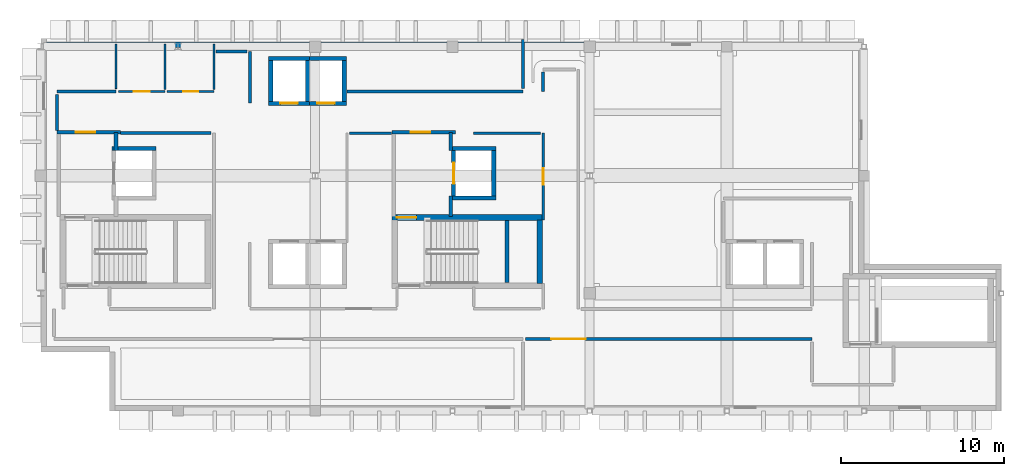
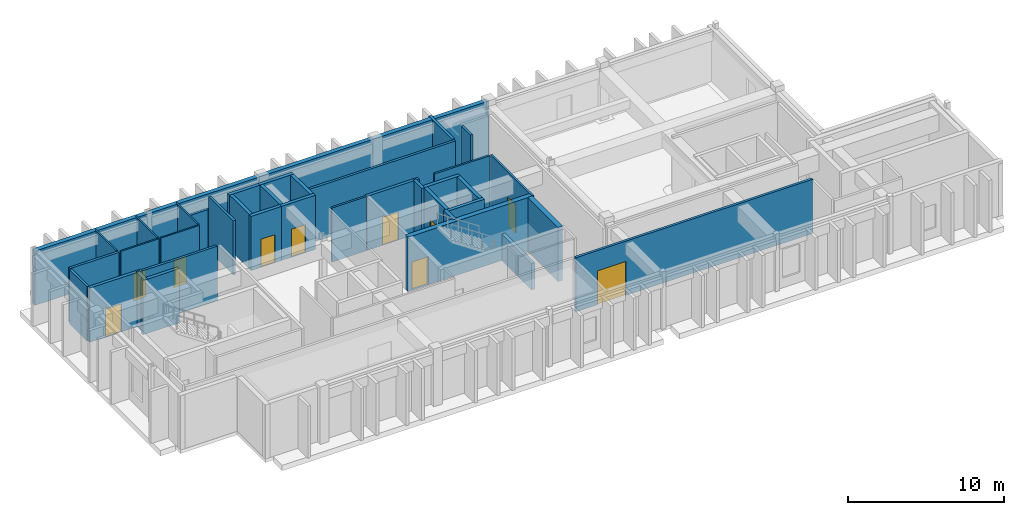
# One storey, part 5 of 8: 38 walls, 10 doors, 10 openings.
"""IFC4 building model written with IfcOpenShell, lengths in metres."""

from ifc_helpers import new_model, si_unit, direction, frame, frame_2d, origin, place, context, subcontext, project, spatial, rectangle, extrude, material, layer, layer_set, type_object, element, fill, save


model = new_model("IFC4")

# Units and contexts
model_context = context("Model", 3, precision=1e-05, world=origin(), true_north=direction((0.0, 1.0)))
body_context = subcontext(model_context, "Body", "Model", "MODEL_VIEW")
ifc_project = project(units=[si_unit("LENGTHUNIT", "METRE"), si_unit("AREAUNIT", "SQUARE_METRE"), si_unit("VOLUMEUNIT", "CUBIC_METRE"), si_unit("PLANEANGLEUNIT", "RADIAN"), si_unit("MASSUNIT", "GRAM", prefix="KILO")], contexts=[model_context])

# Site, building, storey
site_placement = place(None, origin())
site = spatial("IfcSite", under=ifc_project, at=site_placement, CompositionType="ELEMENT")
building_placement = place(site_placement, origin())
building = spatial("IfcBuilding", under=site, at=building_placement, Name="Quendrovan Civic Courthouse", CompositionType="ELEMENT")
storey_placement = place(building_placement, frame((0.0, 0.0, 35.699951171875)))
storey = spatial("IfcBuildingStorey", under=building, at=storey_placement, Name="L08", CompositionType="ELEMENT", Elevation=35.699951171875)

# Wall, opening, door
ifc_material_1 = material(Name="Acoustic gypsum stud partition")
ifc_layer_1 = layer(ifc_material_1, 0.139892578125, Name="Acoustic gypsum stud partition")
ifc_layer_set_1 = layer_set([ifc_layer_1], Name="Acoustic gypsum stud partition")
wall_type_1 = type_object("IfcWallType", Name="WL-CHM-140", PredefinedType="PARTITIONING", material=ifc_layer_set_1)
wall_1_placement = place(storey_placement, frame((64.35009765625, 104.60009765625, 0.0), z_axis=(0.0, 0.0, 1.0), x_axis=(0.0, -1.0, 0.0)))
wall_1 = element("IfcWall", 1, at=wall_1_placement, inside=storey, type_object=wall_type_1, Name="L08 Appellate Judges' Chambers Partition 0868", PredefinedType="PARTITIONING", context=body_context, shape_type="SweptSolid", body=[
    extrude(rectangle(XDim=5.300048828125, YDim=0.139892578125, at=frame_2d((2.64990234375, 0.0))), origin(), (0.0, 0.0, 1.0), 4.239990234375),
])
opening_1_placement = place(wall_1_placement, frame((2.14990234375, 0.0, 0.0)))
opening_1 = element("IfcOpeningElement", 2, at=opening_1_placement, cuts=wall_1, Name="Opening D-L08-125", PredefinedType="OPENING", context=body_context, shape_type="SweptSolid", body=[
    extrude(rectangle(XDim=1.0, YDim=2.219970703125, at=frame_2d((0.5, 1.10986328125))), frame((0.0, 0.080078125, 0.0), z_axis=(0.0, -1.0, 0.0), x_axis=(1.0, 0.0, 0.0)), (0.0, 0.0, 1.0), 0.159912109375),
])
ifc_material_2 = material(Name="Solid Western Red Cedar timber door", Category="wood")
door_type_1 = type_object("IfcDoorType", Name="DR-CHM-1000", OperationType="NOTDEFINED", PredefinedType="DOOR", material=ifc_material_2)
door_1_placement = place(opening_1_placement, origin())
door_1 = element("IfcDoor", 3, at=door_1_placement, inside=storey, type_object=door_type_1, Name="L08 Appellate Judges' Chambers Door D-L08-125", OperationType="SINGLE_SWING_RIGHT", OverallHeight=2.219970703125, OverallWidth=1.0, PredefinedType="DOOR", context=body_context, shape_type="SweptSolid", body=[
    extrude(rectangle(XDim=1.0, YDim=2.219970703125, at=frame_2d((0.5, 1.10986328125))), frame((0.0, 0.02490234375, 0.0), z_axis=(0.0, -1.0, 0.0), x_axis=(1.0, 0.0, 0.0)), (0.0, 0.0, 1.0), 0.050048828125),
])
fill(opening_1, door_1)

# Walls
wall_2_placement = place(storey_placement, frame((60.10009765625, 104.60009765625, 0.0), z_axis=(0.0, 0.0, 1.0), x_axis=(1.0, 0.0, 0.0)))
element("IfcWall", 4, at=wall_2_placement, inside=storey, type_object=wall_type_1, Name="L08 Appellate Judges' Chambers Partition 0878", PredefinedType="PARTITIONING", context=body_context, shape_type="SweptSolid", body=[
    extrude(rectangle(XDim=4.099853515625, YDim=0.139892578125, at=frame_2d((2.0498046875, 0.0))), origin(), (0.0, 0.0, 1.0), 4.239990234375),
])
wall_3_placement = place(storey_placement, frame((52.5, 104.60009765625, 0.0), z_axis=(0.0, 0.0, 1.0), x_axis=(1.0, 0.0, 0.0)))
element("IfcWall", 5, at=wall_3_placement, inside=storey, type_object=wall_type_1, Name="L08 Judicial Conference Room Partition 0891", PredefinedType="PARTITIONING", context=body_context, shape_type="SweptSolid", body=[
    extrude(rectangle(XDim=2.580078125, YDim=0.139892578125, at=frame_2d((1.2900390625, 0.0))), origin(), (0.0, 0.0, 1.0), 4.239990234375),
])

# Wall, opening, door
ifc_material_3 = material(Name="Concrete C45/55", Category="concrete")
ifc_layer_2 = layer(ifc_material_3, 0.35009765625, Name="Concrete C45/55")
ifc_layer_set_2 = layer_set([ifc_layer_2], Name="Concrete C45/55")
wall_type_2 = type_object("IfcWallType", Name="WL-CORE-350", PredefinedType="SHEAR", material=ifc_layer_set_2)
wall_4_placement = place(storey_placement, frame((64.31005859375, 99.43505859375, 0.0), z_axis=(0.0, 0.0, 1.0), x_axis=(-1.0, 0.0, 0.0)))
wall_4 = element("IfcWall", 6, at=wall_4_placement, inside=storey, type_object=wall_type_2, Name="L08 Core Shear Wall ST2-N", PredefinedType="SHEAR", context=body_context, shape_type="SweptSolid", body=[
    extrude(rectangle(XDim=9.219970703125, YDim=0.35009765625, at=frame_2d((4.60986328125, 0.0))), origin(), (0.0, 0.0, 1.0), 4.239990234375),
])
opening_2_placement = place(wall_4_placement, frame((7.719970703125, 0.0, 0.0)))
opening_2 = element("IfcOpeningElement", 7, at=opening_2_placement, cuts=wall_4, Name="Opening DFF-ST2-L08", PredefinedType="OPENING", context=body_context, shape_type="SweptSolid", body=[
    extrude(rectangle(XDim=1.199951171875, YDim=2.199951171875, at=frame_2d((0.60009765625, 1.10009765625))), frame((0.0, 0.18505859375, 0.0), z_axis=(0.0, -1.0, 0.0), x_axis=(1.0, 0.0, 0.0)), (0.0, 0.0, 1.0), 0.3701171875),
])
ifc_material_4 = material(Name="Painted galvanized hollow-metal steel", Category="steel")
door_type_2 = type_object("IfcDoorType", Name="DR-FFLOB-1200", OperationType="NOTDEFINED", PredefinedType="DOOR", material=ifc_material_4)
door_2_placement = place(opening_2_placement, origin())
door_2 = element("IfcDoor", 8, at=door_2_placement, inside=storey, type_object=door_type_2, Name="L08 Firefighting Lobby FL2 Direct Stair ST2 Door", OperationType="SINGLE_SWING_RIGHT", OverallHeight=2.199951171875, OverallWidth=1.199951171875, PredefinedType="DOOR", context=body_context, shape_type="SweptSolid", body=[
    extrude(rectangle(XDim=1.199951171875, YDim=2.199951171875, at=frame_2d((0.60009765625, 1.10009765625))), frame((0.0, 0.02490234375, 0.0), z_axis=(0.0, -1.0, 0.0), x_axis=(1.0, 0.0, 0.0)), (0.0, 0.0, 1.0), 0.050048828125),
])
fill(opening_2, door_2)

# Wall
wall_5_placement = place(storey_placement, frame((64.135009765625, 99.300048828125, 0.0), z_axis=(0.0, 0.0, 1.0), x_axis=(0.0, -1.0, 0.0)))
element("IfcWall", 9, at=wall_5_placement, inside=storey, type_object=wall_type_2, Name="L08 Core Shear Wall ST2-E", PredefinedType="SHEAR", context=body_context, shape_type="SweptSolid", body=[
    extrude(rectangle(XDim=3.900146484375, YDim=0.35009765625, at=frame_2d((1.9501953125, 0.0))), origin(), (0.0, 0.0, 1.0), 4.239990234375),
])

# Wall, opening, door
ifc_material_5 = material(Name="Acoustic gypsum and mineral wool partition")
ifc_layer_3 = layer(ifc_material_5, 0.179931640625, Name="Acoustic gypsum and mineral wool partition")
ifc_layer_set_3 = layer_set([ifc_layer_3], Name="Acoustic gypsum and mineral wool partition")
wall_type_3 = type_object("IfcWallType", Name="WL-CRT-AC180", PredefinedType="PARTITIONING", material=ifc_layer_set_3)
wall_6_placement = place(storey_placement, frame((63.280029296875, 92.0, 0.0), z_axis=(0.0, 0.0, 1.0), x_axis=(1.0, 0.0, 0.0)))
wall_6 = element("IfcWall", 10, at=wall_6_placement, inside=storey, type_object=wall_type_3, Name="L08 Appellate Courtroom Partition 0863", PredefinedType="PARTITIONING", context=body_context, shape_type="SweptSolid", body=[
    extrude(rectangle(XDim=17.52001953125, YDim=0.179931640625, at=frame_2d((8.760009765625, 0.0))), origin(), (0.0, 0.0, 1.0), 4.239990234375),
])
opening_3_placement = place(wall_6_placement, frame((1.577880859375, 0.0, 0.0)))
opening_3 = element("IfcOpeningElement", 11, at=opening_3_placement, cuts=wall_6, Name="Opening D-L08-123", PredefinedType="OPENING", context=body_context, shape_type="SweptSolid", body=[
    extrude(rectangle(XDim=2.10009765625, YDim=2.64990234375, at=frame_2d((1.050048828125, 1.324951171875))), frame((0.0, 0.10009765625, 0.0), z_axis=(0.0, -1.0, 0.0), x_axis=(1.0, 0.0, 0.0)), (0.0, 0.0, 1.0), 0.199951171875),
])
ifc_material_6 = material(Name="Acoustic solid Western Red Cedar timber door", Category="wood")
door_type_3 = type_object("IfcDoorType", Name="DR-CRT-DBL2100", OperationType="NOTDEFINED", PredefinedType="DOOR", material=ifc_material_6)
door_3_placement = place(opening_3_placement, origin())
door_3 = element("IfcDoor", 12, at=door_3_placement, inside=storey, type_object=door_type_3, Name="L08 Appellate Courtroom Door D-L08-123", OperationType="SINGLE_SWING_RIGHT", OverallHeight=2.64990234375, OverallWidth=2.10009765625, PredefinedType="DOOR", context=body_context, shape_type="SweptSolid", body=[
    extrude(rectangle(XDim=2.10009765625, YDim=2.64990234375, at=frame_2d((1.050048828125, 1.324951171875))), frame((0.0, 0.02490234375, 0.0), z_axis=(0.0, -1.0, 0.0), x_axis=(1.0, 0.0, 0.0)), (0.0, 0.0, 1.0), 0.050048828125),
])
fill(opening_3, door_3)

# Walls
wall_7_placement = place(storey_placement, frame((63.110107421875, 107.14990234375, 0.0), z_axis=(0.0, 0.0, 1.0), x_axis=(-1.0, 0.0, 0.0)))
element("IfcWall", 13, at=wall_7_placement, inside=storey, type_object=wall_type_3, Name="L08 Special Proceedings Courtroom Partition 0866", PredefinedType="PARTITIONING", context=body_context, shape_type="SweptSolid", body=[
    extrude(rectangle(XDim=10.760009765625, YDim=0.179931640625, at=frame_2d((5.3798828125, 0.0))), origin(), (0.0, 0.0, 1.0), 4.239990234375),
])
wall_8_placement = place(storey_placement, frame((38.47998046875, 104.60009765625, 0.0), z_axis=(0.0, 0.0, 1.0), x_axis=(1.0, 0.0, 0.0)))
element("IfcWall", 14, at=wall_8_placement, inside=storey, type_object=wall_type_3, Name="L08 Special Proceedings Courtroom Partition 0874", PredefinedType="PARTITIONING", context=body_context, shape_type="SweptSolid", body=[
    extrude(rectangle(XDim=5.550048828125, YDim=0.179931640625, at=frame_2d((2.77490234375, 0.0))), origin(), (0.0, 0.0, 1.0), 4.239990234375),
])
wall_9_placement = place(storey_placement, frame((38.199951171875, 107.14990234375, 0.0), z_axis=(0.0, 0.0, 1.0), x_axis=(-1.0, 0.0, 0.0)))
element("IfcWall", 15, at=wall_9_placement, inside=storey, type_object=wall_type_3, Name="L08 Special Proceedings Courtroom Partition 0882", PredefinedType="PARTITIONING", context=body_context, shape_type="SweptSolid", body=[
    extrude(rectangle(XDim=3.599853515625, YDim=0.179931640625, at=frame_2d((1.7998046875, 0.0))), origin(), (0.0, 0.0, 1.0), 4.239990234375),
])
wall_10_placement = place(storey_placement, frame((63.110107421875, 110.340087890625, 0.0), z_axis=(0.0, 0.0, 1.0), x_axis=(0.0, -1.0, 0.0)))
element("IfcWall", 16, at=wall_10_placement, inside=storey, type_object=wall_type_3, Name="L08 Special Proceedings Courtroom Partition 0883", PredefinedType="PARTITIONING", context=body_context, shape_type="SweptSolid", body=[
    extrude(rectangle(XDim=3.02001953125, YDim=0.179931640625, at=frame_2d((1.510009765625, 0.0))), origin(), (0.0, 0.0, 1.0), 4.239990234375),
])
wall_11_placement = place(storey_placement, frame((46.39990234375, 106.449951171875, 0.0), z_axis=(0.0, 0.0, 1.0), x_axis=(0.0, 1.0, 0.0)))
element("IfcWall", 17, at=wall_11_placement, inside=storey, type_object=wall_type_3, Name="L08 Special Proceedings Courtroom Partition 0884", PredefinedType="PARTITIONING", context=body_context, shape_type="SweptSolid", body=[
    extrude(rectangle(XDim=3.150146484375, YDim=0.179931640625, at=frame_2d((1.5751953125, 0.0))), origin(), (0.0, 0.0, 1.0), 4.239990234375),
])
wall_12_placement = place(storey_placement, frame((34.60009765625, 106.97998046875, 0.0), z_axis=(0.0, 0.0, 1.0), x_axis=(0.0, -1.0, 0.0)))
element("IfcWall", 18, at=wall_12_placement, inside=storey, type_object=wall_type_3, Name="L08 Special Proceedings Courtroom Partition 0893", PredefinedType="PARTITIONING", context=body_context, shape_type="SweptSolid", body=[
    extrude(rectangle(XDim=2.2099609375, YDim=0.179931640625, at=frame_2d((1.10498046875, 0.0))), origin(), (0.0, 0.0, 1.0), 4.239990234375),
])
wall_13_placement = place(storey_placement, frame((46.22998046875, 109.60009765625, 0.0), z_axis=(0.0, 0.0, 1.0), x_axis=(-1.0, 0.0, 0.0)))
element("IfcWall", 19, at=wall_13_placement, inside=storey, type_object=wall_type_3, Name="L08 Special Proceedings Courtroom Partition 0895", PredefinedType="PARTITIONING", context=body_context, shape_type="SweptSolid", body=[
    extrude(rectangle(XDim=1.89501953125, YDim=0.179931640625, at=frame_2d((0.947509765625, 0.0))), origin(), (0.0, 0.0, 1.0), 3.300048828125),
])
wall_14_placement = place(storey_placement, frame((64.35009765625, 108.330078125, 0.0), z_axis=(0.0, 0.0, 1.0), x_axis=(0.0, -1.0, 0.0)))
element("IfcWall", 20, at=wall_14_placement, inside=storey, type_object=wall_type_3, Name="L08 Appellate Courtroom Partition 0898", PredefinedType="PARTITIONING", context=body_context, shape_type="SweptSolid", body=[
    extrude(rectangle(XDim=1.18017578125, YDim=0.179931640625, at=frame_2d((0.590087890625, 0.0))), origin(), (0.0, 0.0, 1.0), 4.239990234375),
])
ifc_material_7 = material(Name="Precast concrete C45/55", Category="concrete")
ifc_layer_4 = layer(ifc_material_7, 0.320068359375, Name="Precast concrete C45/55")
ifc_layer_set_4 = layer_set([ifc_layer_4], Name="Precast concrete C45/55")
wall_type_4 = type_object("IfcWallType", Name="WL-EXT-PC320", PredefinedType="SOLIDWALL", material=ifc_layer_set_4)
wall_15_placement = place(storey_placement, frame((33.60009765625, 110.02001953125, 0.0), z_axis=(0.0, 0.0, 1.0), x_axis=(1.0, 0.0, 0.0)))
element("IfcWall", 21, at=wall_15_placement, inside=storey, type_object=wall_type_4, Name="L08 Exterior Precast Concrete Wall 522", PredefinedType="SOLIDWALL", context=body_context, shape_type="SweptSolid", body=[
    extrude(rectangle(XDim=33.599853515625, YDim=0.320068359375, at=frame_2d((16.7998046875, 0.0))), origin(), (0.0, 0.0, 1.0), 4.239990234375),
])

# Wall, opening, door
ifc_material_8 = material(Name="Concrete C40/50", Category="concrete")
ifc_layer_5 = layer(ifc_material_8, 0.22998046875, Name="Concrete C40/50")
ifc_layer_set_5 = layer_set([ifc_layer_5], Name="Concrete C40/50")
wall_type_5 = type_object("IfcWallType", Name="WL-FFLOB-230", PredefinedType="PARTITIONING", material=ifc_layer_set_5)
wall_16_placement = place(storey_placement, frame((34.590087890625, 104.64990234375, 0.0), z_axis=(0.0, 0.0, 1.0), x_axis=(1.0, 0.0, 0.0)))
wall_16 = element("IfcWall", 22, at=wall_16_placement, inside=storey, type_object=wall_type_5, Name="L08 Firefighting Lift Lobby FL1 Wall N", PredefinedType="PARTITIONING", context=body_context, shape_type="SweptSolid", body=[
    extrude(rectangle(XDim=3.889892578125, YDim=0.22998046875, at=frame_2d((1.94482421875, 0.0))), origin(), (0.0, 0.0, 1.0), 4.239990234375),
])
opening_4_placement = place(wall_16_placement, frame((1.14990234375, 0.0, 0.0)))
opening_4 = element("IfcOpeningElement", 23, at=opening_4_placement, cuts=wall_16, Name="Opening DF-FL1-L08N", PredefinedType="OPENING", context=body_context, shape_type="SweptSolid", body=[
    extrude(rectangle(XDim=1.199951171875, YDim=2.199951171875, at=frame_2d((0.60009765625, 1.10009765625))), frame((0.0, 0.125, 0.0), z_axis=(0.0, -1.0, 0.0), x_axis=(1.0, 0.0, 0.0)), (0.0, 0.0, 1.0), 0.25),
])
door_4_placement = place(opening_4_placement, origin())
door_4 = element("IfcDoor", 24, at=door_4_placement, inside=storey, type_object=door_type_2, Name="L08 Firefighting Lobby FL1 Fire Door N", OperationType="SINGLE_SWING_LEFT", OverallHeight=2.199951171875, OverallWidth=1.199951171875, PredefinedType="DOOR", context=body_context, shape_type="SweptSolid", body=[
    extrude(rectangle(XDim=1.199951171875, YDim=2.199951171875, at=frame_2d((0.60009765625, 1.10009765625))), frame((0.0, 0.02490234375, 0.0), z_axis=(0.0, -1.0, 0.0), x_axis=(1.0, 0.0, 0.0)), (0.0, 0.0, 1.0), 0.050048828125),
])
fill(opening_4, door_4)

# Wall
wall_17_placement = place(storey_placement, frame((38.199951171875, 104.64990234375, 0.0), z_axis=(0.0, 0.0, 1.0), x_axis=(0.0, -1.0, 0.0)))
element("IfcWall", 25, at=wall_17_placement, inside=storey, type_object=wall_type_5, Name="L08 Firefighting Lift Lobby FL1 Wall EN", PredefinedType="PARTITIONING", context=body_context, shape_type="SweptSolid", body=[
    extrude(rectangle(XDim=1.099853515625, YDim=0.22998046875, at=frame_2d((0.5498046875, 0.0))), origin(), (0.0, 0.0, 1.0), 4.239990234375),
])

# Wall, opening, door
wall_18_placement = place(storey_placement, frame((55.090087890625, 104.64990234375, 0.0), z_axis=(0.0, 0.0, 1.0), x_axis=(1.0, 0.0, 0.0)))
wall_18 = element("IfcWall", 26, at=wall_18_placement, inside=storey, type_object=wall_type_5, Name="L08 Firefighting Lift Lobby FL2 Wall N", PredefinedType="PARTITIONING", context=body_context, shape_type="SweptSolid", body=[
    extrude(rectangle(XDim=3.889892578125, YDim=0.22998046875, at=frame_2d((1.94482421875, 0.0))), origin(), (0.0, 0.0, 1.0), 4.239990234375),
])
opening_5_placement = place(wall_18_placement, frame((1.14990234375, 0.0, 0.0)))
opening_5 = element("IfcOpeningElement", 27, at=opening_5_placement, cuts=wall_18, Name="Opening DF-FL2-L08N", PredefinedType="OPENING", context=body_context, shape_type="SweptSolid", body=[
    extrude(rectangle(XDim=1.199951171875, YDim=2.199951171875, at=frame_2d((0.60009765625, 1.10009765625))), frame((0.0, 0.125, 0.0), z_axis=(0.0, -1.0, 0.0), x_axis=(1.0, 0.0, 0.0)), (0.0, 0.0, 1.0), 0.25),
])
door_5_placement = place(opening_5_placement, origin())
door_5 = element("IfcDoor", 28, at=door_5_placement, inside=storey, type_object=door_type_2, Name="L08 Firefighting Lobby FL2 Fire Door N", OperationType="SINGLE_SWING_LEFT", OverallHeight=2.199951171875, OverallWidth=1.199951171875, PredefinedType="DOOR", context=body_context, shape_type="SweptSolid", body=[
    extrude(rectangle(XDim=1.199951171875, YDim=2.199951171875, at=frame_2d((0.60009765625, 1.10009765625))), frame((0.0, 0.02490234375, 0.0), z_axis=(0.0, -1.0, 0.0), x_axis=(1.0, 0.0, 0.0)), (0.0, 0.0, 1.0), 0.050048828125),
])
fill(opening_5, door_5)

# Walls
wall_19_placement = place(storey_placement, frame((58.699951171875, 104.64990234375, 0.0), z_axis=(0.0, 0.0, 1.0), x_axis=(0.0, -1.0, 0.0)))
element("IfcWall", 29, at=wall_19_placement, inside=storey, type_object=wall_type_5, Name="L08 Firefighting Lift Lobby FL2 Wall EN", PredefinedType="PARTITIONING", context=body_context, shape_type="SweptSolid", body=[
    extrude(rectangle(XDim=1.099853515625, YDim=0.22998046875, at=frame_2d((0.5498046875, 0.0))), origin(), (0.0, 0.0, 1.0), 4.239990234375),
])
wall_20_placement = place(storey_placement, frame((58.699951171875, 100.75, 0.0), z_axis=(0.0, 0.0, 1.0), x_axis=(0.0, -1.0, 0.0)))
element("IfcWall", 30, at=wall_20_placement, inside=storey, type_object=wall_type_5, Name="L08 Firefighting Lift Lobby FL2 Wall ES", PredefinedType="PARTITIONING", context=body_context, shape_type="SweptSolid", body=[
    extrude(rectangle(XDim=1.25, YDim=0.22998046875, at=frame_2d((0.625, 0.0))), origin(), (0.0, 0.0, 1.0), 4.239990234375),
])
ifc_layer_6 = layer(ifc_material_3, 0.25, Name="Concrete C45/55")
ifc_layer_set_6 = layer_set([ifc_layer_6], Name="Concrete C45/55")
wall_type_6 = type_object("IfcWallType", Name="WL-SHAFT-250", PredefinedType="SHEAR", material=ifc_layer_set_6)
wall_21_placement = place(storey_placement, frame((62.14990234375, 95.449951171875, 0.0), z_axis=(0.0, 0.0, 1.0), x_axis=(0.0, 1.0, 0.0)))
element("IfcWall", 31, at=wall_21_placement, inside=storey, type_object=wall_type_6, Name="L08 Stair ST2 Mid-Landing Bearing Wall", PredefinedType="SHEAR", context=body_context, shape_type="SweptSolid", body=[
    extrude(rectangle(XDim=3.800048828125, YDim=0.25, at=frame_2d((1.89990234375, 0.0))), origin(), (0.0, 0.0, 1.0), 2.070068359375),
])

# Wall, opening, door
wall_22_placement = place(storey_placement, frame((47.550048828125, 106.425048828125, 0.0), z_axis=(0.0, 0.0, 1.0), x_axis=(1.0, 0.0, 0.0)))
wall_22 = element("IfcWall", 32, at=wall_22_placement, inside=storey, type_object=wall_type_6, Name="L08 Lift Hoistway Wall JL1 -Y", PredefinedType="SHEAR", context=body_context, shape_type="SweptSolid", body=[
    extrude(rectangle(XDim=2.5, YDim=0.25, at=frame_2d((1.25, 0.0))), origin(), (0.0, 0.0, 1.0), 4.239990234375),
])
opening_6_placement = place(wall_22_placement, frame((0.719970703125, 0.0, 0.0)))
opening_6 = element("IfcOpeningElement", 33, at=opening_6_placement, cuts=wall_22, Name="Opening LD-JL1-L08", PredefinedType="OPENING", context=body_context, shape_type="SweptSolid", body=[
    extrude(rectangle(XDim=1.06005859375, YDim=2.199951171875, at=frame_2d((0.530029296875, 1.10009765625))), frame((0.0, 0.135009765625, 0.0), z_axis=(0.0, -1.0, 0.0), x_axis=(1.0, 0.0, 0.0)), (0.0, 0.0, 1.0), 0.27001953125),
])
ifc_material_9 = material(Name="Brushed bronze-anodised stainless steel", Category="steel")
door_type_4 = type_object("IfcDoorType", Name="DR-LIFT-LD-JL", OperationType="NOTDEFINED", PredefinedType="DOOR", material=ifc_material_9)
door_6_placement = place(opening_6_placement, origin())
door_6 = element("IfcDoor", 34, at=door_6_placement, inside=storey, type_object=door_type_4, Name="L08 Lift JL1 Sliding Landing Door", OperationType="SLIDING_TO_LEFT", OverallHeight=2.199951171875, OverallWidth=1.06005859375, PredefinedType="DOOR", context=body_context, shape_type="SweptSolid", body=[
    extrude(rectangle(XDim=1.06005859375, YDim=2.199951171875, at=frame_2d((0.530029296875, 1.10009765625))), frame((0.0, 0.02490234375, 0.0), z_axis=(0.0, -1.0, 0.0), x_axis=(1.0, 0.0, 0.0)), (0.0, 0.0, 1.0), 0.050048828125),
])
fill(opening_6, door_6)

# Walls
for number, where, z_axis, x_axis, name in (
    (35, (50.050048828125, 109.175048828125, 0.0), (0.0, 0.0, 1.0), (-1.0, 0.0, 0.0), "L08 Lift Hoistway Wall JL1 +Y"),
    (36, (47.675048828125, 106.550048828125, 0.0), (0.0, 0.0, 1.0), (0.0, 1.0, 0.0), "L08 Lift Hoistway Wall JL1 -X"),
    (37, (49.925048828125, 109.050048828125, 0.0), (0.0, 0.0, 1.0), (0.0, -1.0, 0.0), "L08 Lift Hoistway Wall JL1 +X"),
):
    element("IfcWall", number, at=place(storey_placement, frame(where, z_axis=z_axis, x_axis=x_axis)), inside=storey, type_object=wall_type_6, Name=name, PredefinedType="SHEAR", context=body_context, shape_type="SweptSolid", body=[
        extrude(rectangle(XDim=2.5, YDim=0.25, at=frame_2d((1.25, 0.0))), origin(), (0.0, 0.0, 1.0), 4.239990234375),
    ])

# Wall, opening, door
wall_23_placement = place(storey_placement, frame((49.800048828125, 106.425048828125, 0.0), z_axis=(0.0, 0.0, 1.0), x_axis=(1.0, 0.0, 0.0)))
wall_23 = element("IfcWall", 38, at=wall_23_placement, inside=storey, type_object=wall_type_6, Name="L08 Lift Hoistway Wall JL2 -Y", PredefinedType="SHEAR", context=body_context, shape_type="SweptSolid", body=[
    extrude(rectangle(XDim=2.5, YDim=0.25, at=frame_2d((1.25, 0.0))), origin(), (0.0, 0.0, 1.0), 4.239990234375),
])
opening_7_placement = place(wall_23_placement, frame((0.719970703125, 0.0, 0.0)))
opening_7 = element("IfcOpeningElement", 39, at=opening_7_placement, cuts=wall_23, Name="Opening LD-JL2-L08", PredefinedType="OPENING", context=body_context, shape_type="SweptSolid", body=[
    extrude(rectangle(XDim=1.06005859375, YDim=2.199951171875, at=frame_2d((0.530029296875, 1.10009765625))), frame((0.0, 0.135009765625, 0.0), z_axis=(0.0, -1.0, 0.0), x_axis=(1.0, 0.0, 0.0)), (0.0, 0.0, 1.0), 0.27001953125),
])
door_7_placement = place(opening_7_placement, origin())
door_7 = element("IfcDoor", 40, at=door_7_placement, inside=storey, type_object=door_type_4, Name="L08 Lift JL2 Sliding Landing Door", OperationType="SLIDING_TO_LEFT", OverallHeight=2.199951171875, OverallWidth=1.06005859375, PredefinedType="DOOR", context=body_context, shape_type="SweptSolid", body=[
    extrude(rectangle(XDim=1.06005859375, YDim=2.199951171875, at=frame_2d((0.530029296875, 1.10009765625))), frame((0.0, 0.02490234375, 0.0), z_axis=(0.0, -1.0, 0.0), x_axis=(1.0, 0.0, 0.0)), (0.0, 0.0, 1.0), 0.050048828125),
])
fill(opening_7, door_7)

# Walls
for number, where, z_axis, x_axis, name in (
    (41, (52.300048828125, 109.175048828125, 0.0), (0.0, 0.0, 1.0), (-1.0, 0.0, 0.0), "L08 Lift Hoistway Wall JL2 +Y"),
    (42, (52.175048828125, 109.050048828125, 0.0), (0.0, 0.0, 1.0), (0.0, -1.0, 0.0), "L08 Lift Hoistway Wall JL2 +X"),
):
    element("IfcWall", number, at=place(storey_placement, frame(where, z_axis=z_axis, x_axis=x_axis)), inside=storey, type_object=wall_type_6, Name=name, PredefinedType="SHEAR", context=body_context, shape_type="SweptSolid", body=[
        extrude(rectangle(XDim=2.5, YDim=0.25, at=frame_2d((1.25, 0.0))), origin(), (0.0, 0.0, 1.0), 4.239990234375),
    ])
for number, where, z_axis, x_axis, name in (
    (43, (40.64990234375, 103.675048828125, 0.0), (0.0, 0.0, 1.0), (-1.0, 0.0, 0.0), "L08 Lift Hoistway Wall FL1 +Y"),
    (44, (58.75, 100.625, 0.0), (0.0, 0.0, 1.0), (1.0, 0.0, 0.0), "L08 Lift Hoistway Wall FL2 -Y"),
    (45, (61.449951171875, 103.675048828125, 0.0), (0.0, 0.0, 1.0), (-1.0, 0.0, 0.0), "L08 Lift Hoistway Wall FL2 +Y"),
):
    element("IfcWall", number, at=place(storey_placement, frame(where, z_axis=z_axis, x_axis=x_axis)), inside=storey, type_object=wall_type_6, Name=name, PredefinedType="SHEAR", context=body_context, shape_type="SweptSolid", body=[
        extrude(rectangle(XDim=2.699951171875, YDim=0.25, at=frame_2d((1.35009765625, 0.0))), origin(), (0.0, 0.0, 1.0), 4.239990234375),
    ])

# Wall, opening, door
wall_24_placement = place(storey_placement, frame((58.875, 100.75, 0.0), z_axis=(0.0, 0.0, 1.0), x_axis=(0.0, 1.0, 0.0)))
wall_24 = element("IfcWall", 46, at=wall_24_placement, inside=storey, type_object=wall_type_6, Name="L08 Lift Hoistway Wall FL2 -X", PredefinedType="SHEAR", context=body_context, shape_type="SweptSolid", body=[
    extrude(rectangle(XDim=2.800048828125, YDim=0.25, at=frame_2d((1.39990234375, 0.0))), origin(), (0.0, 0.0, 1.0), 4.239990234375),
])
opening_8_placement = place(wall_24_placement, frame((0.75, 0.0, 0.0)))
opening_8 = element("IfcOpeningElement", 47, at=opening_8_placement, cuts=wall_24, Name="Opening LD-FL2-L08", PredefinedType="OPENING", context=body_context, shape_type="SweptSolid", body=[
    extrude(rectangle(XDim=1.300048828125, YDim=2.25, at=frame_2d((0.64990234375, 1.125))), frame((0.0, 0.135009765625, 0.0), z_axis=(0.0, -1.0, 0.0), x_axis=(1.0, 0.0, 0.0)), (0.0, 0.0, 1.0), 0.27001953125),
])
ifc_material_10 = material(Name="Smoke-tight fire-service stainless steel", Category="steel")
door_type_5 = type_object("IfcDoorType", Name="DR-LIFT-LD-FL", OperationType="NOTDEFINED", PredefinedType="DOOR", material=ifc_material_10)
door_8_placement = place(opening_8_placement, origin())
door_8 = element("IfcDoor", 48, at=door_8_placement, inside=storey, type_object=door_type_5, Name="L08 Lift FL2 Sliding Landing Door", OperationType="SLIDING_TO_LEFT", OverallHeight=2.25, OverallWidth=1.300048828125, PredefinedType="DOOR", context=body_context, shape_type="SweptSolid", body=[
    extrude(rectangle(XDim=1.300048828125, YDim=2.25, at=frame_2d((0.64990234375, 1.125))), frame((0.0, 0.02490234375, 0.0), z_axis=(0.0, -1.0, 0.0), x_axis=(1.0, 0.0, 0.0)), (0.0, 0.0, 1.0), 0.050048828125),
])
fill(opening_8, door_8)

# Wall
wall_25_placement = place(storey_placement, frame((61.324951171875, 103.550048828125, 0.0), z_axis=(0.0, 0.0, 1.0), x_axis=(0.0, -1.0, 0.0)))
element("IfcWall", 49, at=wall_25_placement, inside=storey, type_object=wall_type_6, Name="L08 Lift Hoistway Wall FL2 +X", PredefinedType="SHEAR", context=body_context, shape_type="SweptSolid", body=[
    extrude(rectangle(XDim=2.800048828125, YDim=0.25, at=frame_2d((1.39990234375, 0.0))), origin(), (0.0, 0.0, 1.0), 4.239990234375),
])

# Wall, opening, door
ifc_material_11 = material(Name="Moisture-resistant tile-backer partition")
ifc_layer_7 = layer(ifc_material_11, 0.110107421875, Name="Moisture-resistant tile-backer partition")
ifc_layer_set_7 = layer_set([ifc_layer_7], Name="Moisture-resistant tile-backer partition")
wall_type_7 = type_object("IfcWallType", Name="WL-WET-110", PredefinedType="PARTITIONING", material=ifc_layer_set_7)
wall_26_placement = place(storey_placement, frame((41.199951171875, 107.14990234375, 0.0), z_axis=(0.0, 0.0, 1.0), x_axis=(-1.0, 0.0, 0.0)))
wall_26 = element("IfcWall", 50, at=wall_26_placement, inside=storey, type_object=wall_type_7, Name="L08 L08 Accessible WC Partition 0885", PredefinedType="PARTITIONING", context=body_context, shape_type="SweptSolid", body=[
    extrude(rectangle(XDim=2.829833984375, YDim=0.110107421875, at=frame_2d((1.4150390625, 0.0))), origin(), (0.0, 0.0, 1.0), 4.239990234375),
])
opening_9_placement = place(wall_26_placement, frame((0.93505859375, 0.0, 0.0)))
opening_9 = element("IfcOpeningElement", 51, at=opening_9_placement, cuts=wall_26, Name="Opening D-L08-120", PredefinedType="OPENING", context=body_context, shape_type="SweptSolid", body=[
    extrude(rectangle(XDim=0.9599609375, YDim=2.139892578125, at=frame_2d((0.47998046875, 1.06982421875))), frame((0.0, 0.06494140625, 0.0), z_axis=(0.0, -1.0, 0.0), x_axis=(1.0, 0.0, 0.0)), (0.0, 0.0, 1.0), 0.130126953125),
])
ifc_material_12 = material(Name="Moisture-resistant laminate timber door", Category="wood")
door_type_6 = type_object("IfcDoorType", Name="DR-WC-ACC-960", OperationType="NOTDEFINED", PredefinedType="DOOR", material=ifc_material_12)
door_9_placement = place(opening_9_placement, origin())
door_9 = element("IfcDoor", 52, at=door_9_placement, inside=storey, type_object=door_type_6, Name="L08 L08 Accessible WC Door D-L08-120", OperationType="SINGLE_SWING_LEFT", OverallHeight=2.139892578125, OverallWidth=0.9599609375, PredefinedType="DOOR", context=body_context, shape_type="SweptSolid", body=[
    extrude(rectangle(XDim=0.9599609375, YDim=2.139892578125, at=frame_2d((0.47998046875, 1.06982421875))), frame((0.0, 0.02490234375, 0.0), z_axis=(0.0, -1.0, 0.0), x_axis=(1.0, 0.0, 0.0)), (0.0, 0.0, 1.0), 0.050048828125),
])
fill(opening_9, door_9)

wall_27_placement = place(storey_placement, frame((44.199951171875, 107.14990234375, 0.0), z_axis=(0.0, 0.0, 1.0), x_axis=(-1.0, 0.0, 0.0)))
wall_27 = element("IfcWall", 53, at=wall_27_placement, inside=storey, type_object=wall_type_7, Name="L08 L08 Judicial and Public Restroom Partition 0886", PredefinedType="PARTITIONING", context=body_context, shape_type="SweptSolid", body=[
    extrude(rectangle(XDim=2.864990234375, YDim=0.110107421875, at=frame_2d((1.4326171875, 0.0))), origin(), (0.0, 0.0, 1.0), 4.239990234375),
])
opening_10_placement = place(wall_27_placement, frame((0.972412109375, 0.0, 0.0)))
opening_10 = element("IfcOpeningElement", 54, at=opening_10_placement, cuts=wall_27, Name="Opening D-L08-121", PredefinedType="OPENING", context=body_context, shape_type="SweptSolid", body=[
    extrude(rectangle(XDim=0.919921875, YDim=2.1201171875, at=frame_2d((0.4599609375, 1.06005859375))), frame((0.0, 0.06494140625, 0.0), z_axis=(0.0, -1.0, 0.0), x_axis=(1.0, 0.0, 0.0)), (0.0, 0.0, 1.0), 0.130126953125),
])
door_type_7 = type_object("IfcDoorType", Name="DR-WC-STD-920", OperationType="NOTDEFINED", PredefinedType="DOOR", material=ifc_material_12)
door_10_placement = place(opening_10_placement, origin())
door_10 = element("IfcDoor", 55, at=door_10_placement, inside=storey, type_object=door_type_7, Name="L08 L08 Judicial and Public Restroom Door D-L08-121", OperationType="SINGLE_SWING_RIGHT", OverallHeight=2.1201171875, OverallWidth=0.919921875, PredefinedType="DOOR", context=body_context, shape_type="SweptSolid", body=[
    extrude(rectangle(XDim=0.919921875, YDim=2.1201171875, at=frame_2d((0.4599609375, 1.06005859375))), frame((0.0, 0.02490234375, 0.0), z_axis=(0.0, -1.0, 0.0), x_axis=(1.0, 0.0, 0.0)), (0.0, 0.0, 1.0), 0.050048828125),
])
fill(opening_10, door_10)

# Walls
wall_28_placement = place(storey_placement, frame((41.199951171875, 110.050048828125, 0.0), z_axis=(0.0, 0.0, 1.0), x_axis=(0.0, -1.0, 0.0)))
element("IfcWall", 56, at=wall_28_placement, inside=storey, type_object=wall_type_7, Name="L08 L08 Accessible WC Partition 0887", PredefinedType="PARTITIONING", context=body_context, shape_type="SweptSolid", body=[
    extrude(rectangle(XDim=2.76513671875, YDim=0.110107421875, at=frame_2d((1.382568359375, 0.0))), origin(), (0.0, 0.0, 1.0), 4.239990234375),
])
wall_29_placement = place(storey_placement, frame((38.199951171875, 107.320068359375, 0.0), z_axis=(0.0, 0.0, 1.0), x_axis=(0.0, 1.0, 0.0)))
element("IfcWall", 57, at=wall_29_placement, inside=storey, type_object=wall_type_7, Name="L08 L08 Accessible WC Partition 0888", PredefinedType="PARTITIONING", context=body_context, shape_type="SweptSolid", body=[
    extrude(rectangle(XDim=2.72998046875, YDim=0.110107421875, at=frame_2d((1.364990234375, 0.0))), origin(), (0.0, 0.0, 1.0), 4.239990234375),
])
wall_30_placement = place(storey_placement, frame((44.199951171875, 110.050048828125, 0.0), z_axis=(0.0, 0.0, 1.0), x_axis=(0.0, -1.0, 0.0)))
element("IfcWall", 58, at=wall_30_placement, inside=storey, type_object=wall_type_7, Name="L08 L08 Judicial and Public Restroom Partition 0889", PredefinedType="PARTITIONING", context=body_context, shape_type="SweptSolid", body=[
    extrude(rectangle(XDim=2.76513671875, YDim=0.110107421875, at=frame_2d((1.382568359375, 0.0))), origin(), (0.0, 0.0, 1.0), 4.239990234375),
])

save(model, "model.ifc")
